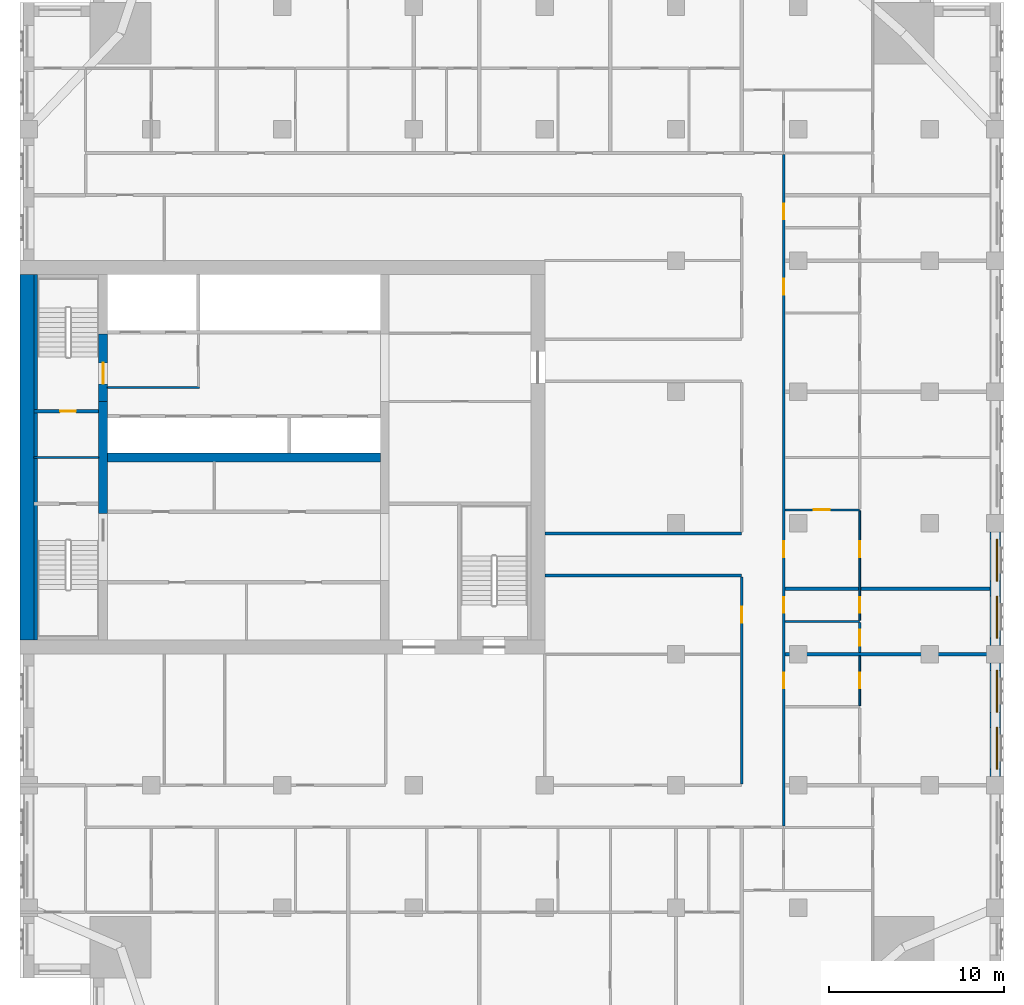
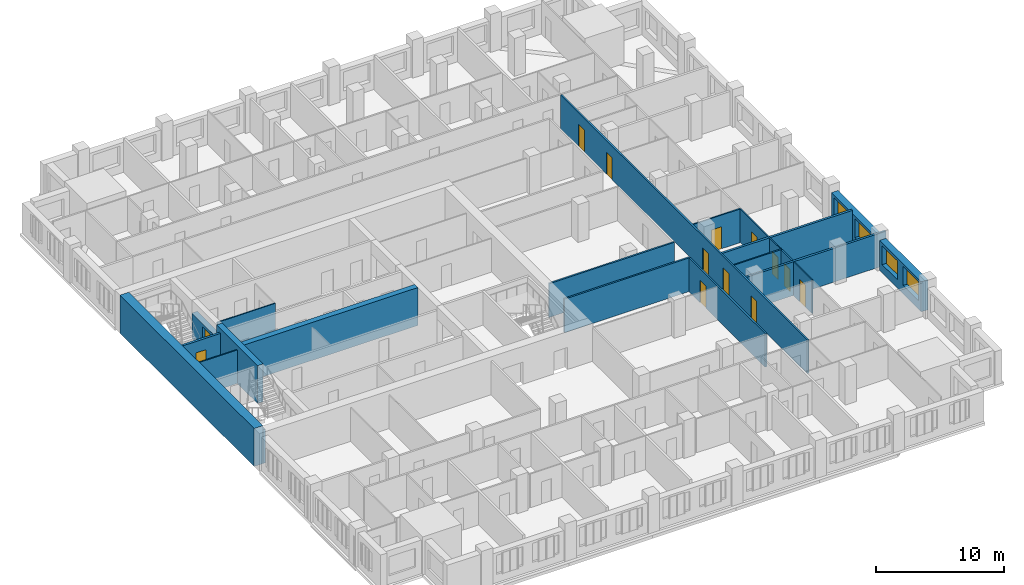
# One storey, part 7 of 14: 21 walls, 13 doors, 4 windows, 17 openings.
"""IFC4 building model written with IfcOpenShell, lengths in metres."""

from ifc_helpers import new_model, si_unit, direction, frame, frame_2d, origin, place, context, subcontext, project, spatial, rectangle, extrude, material, layer, layer_set, type_object, element, fill, save


model = new_model("IFC4")

# Units and contexts
model_context = context("Model", 3, precision=1e-05, world=origin(), true_north=direction((0.0, 1.0)))
body_context = subcontext(model_context, "Body", "Model", "MODEL_VIEW")
ifc_project = project(units=[si_unit("LENGTHUNIT", "METRE"), si_unit("AREAUNIT", "SQUARE_METRE"), si_unit("VOLUMEUNIT", "CUBIC_METRE"), si_unit("PLANEANGLEUNIT", "RADIAN"), si_unit("MASSUNIT", "GRAM", prefix="KILO")], contexts=[model_context])

# Site, building, storey
site_placement = place(None, origin())
site = spatial("IfcSite", under=ifc_project, at=site_placement, CompositionType="ELEMENT")
building_placement = place(site_placement, origin())
building = spatial("IfcBuilding", under=site, at=building_placement, Name="Tamorin Gate", CompositionType="ELEMENT")
storey_placement = place(building_placement, frame((0.0, 0.0, 162.60009765625)))
storey = spatial("IfcBuildingStorey", under=building, at=storey_placement, Name="L40", CompositionType="ELEMENT", Elevation=162.60009765625)

# Wall, openings, windows
ifc_material_1 = material(Name="Precast concrete C40/50", Category="concrete")
ifc_layer_1 = layer(ifc_material_1, 0.60009765625)
ifc_layer_set_1 = layer_set([ifc_layer_1], Name="Precast concrete C40/50")
wall_type_1 = type_object("IfcWallType", Name="Board-marked concrete facade panel 600", PredefinedType="SOLIDWALL", material=ifc_layer_set_1)
wall_1_placement = place(storey_placement, frame((85.75, 53.0, 0.0), z_axis=(0.0, 0.0, 1.0), x_axis=(0.0, 1.0, 0.0)))
wall_1 = element("IfcWall", 1, at=wall_1_placement, inside=storey, type_object=wall_type_1, Name="Facade panel", PredefinedType="SOLIDWALL", context=body_context, shape_type="SweptSolid", body=[
    extrude(rectangle(XDim=6.5, YDim=0.60009765625, at=frame_2d((3.25, 0.0))), origin(), (0.0, 0.0, 1.0), 2.849853515625),
])
opening_1_placement = place(wall_1_placement, frame((0.425048828125, 0.0, 0.800048828125)))
opening_1 = element("IfcOpeningElement", 2, at=opening_1_placement, cuts=wall_1, Name="Opening WN1", PredefinedType="OPENING", context=body_context, shape_type="SweptSolid", body=[
    extrude(rectangle(XDim=2.39990234375, YDim=1.800048828125, at=frame_2d((1.199951171875, 0.89990234375))), frame((0.0, 0.31005859375, 0.0), z_axis=(0.0, -1.0, 0.0), x_axis=(1.0, 0.0, 0.0)), (0.0, 0.0, 1.0), 0.6201171875),
])
opening_2_placement = place(wall_1_placement, frame((3.675048828125, 0.0, 0.800048828125)))
opening_2 = element("IfcOpeningElement", 3, at=opening_2_placement, cuts=wall_1, Name="Opening WN1", PredefinedType="OPENING", context=body_context, shape_type="SweptSolid", body=[
    extrude(rectangle(XDim=2.39990234375, YDim=1.800048828125, at=frame_2d((1.199951171875, 0.89990234375))), frame((0.0, 0.31005859375, 0.0), z_axis=(0.0, -1.0, 0.0), x_axis=(1.0, 0.0, 0.0)), (0.0, 0.0, 1.0), 0.6201171875),
])
ifc_material_2 = material(Name="Clear glass in aluminium frame", Category="aluminium")
window_type = type_object("IfcWindowType", Name="Deep-set window 2400x1800", PartitioningType="SINGLE_PANEL", PredefinedType="WINDOW", material=ifc_material_2)
window_1_placement = place(opening_1_placement, origin())
window_1 = element("IfcWindow", 4, at=window_1_placement, inside=storey, type_object=window_type, Name="Deep-set window", OverallHeight=1.800048828125, OverallWidth=2.39990234375, PartitioningType="SINGLE_PANEL", PredefinedType="WINDOW", context=body_context, shape_type="SweptSolid", body=[
    extrude(rectangle(XDim=2.39990234375, YDim=1.800048828125, at=frame_2d((1.199951171875, 0.89990234375))), frame((0.0, -0.070068359375, 0.0), z_axis=(0.0, -1.0, 0.0), x_axis=(1.0, 0.0, 0.0)), (0.0, 0.0, 1.0), 0.06005859375),
])
fill(opening_1, window_1)
window_2_placement = place(opening_2_placement, origin())
window_2 = element("IfcWindow", 5, at=window_2_placement, inside=storey, type_object=window_type, Name="Deep-set window", OverallHeight=1.800048828125, OverallWidth=2.39990234375, PartitioningType="SINGLE_PANEL", PredefinedType="WINDOW", context=body_context, shape_type="SweptSolid", body=[
    extrude(rectangle(XDim=2.39990234375, YDim=1.800048828125, at=frame_2d((1.199951171875, 0.89990234375))), frame((0.0, -0.070068359375, 0.0), z_axis=(0.0, -1.0, 0.0), x_axis=(1.0, 0.0, 0.0)), (0.0, 0.0, 1.0), 0.06005859375),
])
fill(opening_2, window_2)

wall_2_placement = place(storey_placement, frame((85.75, 60.5, 0.0), z_axis=(0.0, 0.0, 1.0), x_axis=(0.0, 1.0, 0.0)))
wall_2 = element("IfcWall", 6, at=wall_2_placement, inside=storey, type_object=wall_type_1, Name="Facade panel", PredefinedType="SOLIDWALL", context=body_context, shape_type="SweptSolid", body=[
    extrude(rectangle(XDim=6.5, YDim=0.60009765625, at=frame_2d((3.25, 0.0))), origin(), (0.0, 0.0, 1.0), 2.849853515625),
])
opening_3_placement = place(wall_2_placement, frame((0.425048828125, 0.0, 0.800048828125)))
opening_3 = element("IfcOpeningElement", 7, at=opening_3_placement, cuts=wall_2, Name="Opening WN1", PredefinedType="OPENING", context=body_context, shape_type="SweptSolid", body=[
    extrude(rectangle(XDim=2.39990234375, YDim=1.800048828125, at=frame_2d((1.199951171875, 0.89990234375))), frame((0.0, 0.31005859375, 0.0), z_axis=(0.0, -1.0, 0.0), x_axis=(1.0, 0.0, 0.0)), (0.0, 0.0, 1.0), 0.6201171875),
])
opening_4_placement = place(wall_2_placement, frame((3.675048828125, 0.0, 0.800048828125)))
opening_4 = element("IfcOpeningElement", 8, at=opening_4_placement, cuts=wall_2, Name="Opening WN1", PredefinedType="OPENING", context=body_context, shape_type="SweptSolid", body=[
    extrude(rectangle(XDim=2.39990234375, YDim=1.800048828125, at=frame_2d((1.199951171875, 0.89990234375))), frame((0.0, 0.31005859375, 0.0), z_axis=(0.0, -1.0, 0.0), x_axis=(1.0, 0.0, 0.0)), (0.0, 0.0, 1.0), 0.6201171875),
])
window_3_placement = place(opening_3_placement, origin())
window_3 = element("IfcWindow", 9, at=window_3_placement, inside=storey, type_object=window_type, Name="Deep-set window", OverallHeight=1.800048828125, OverallWidth=2.39990234375, PartitioningType="SINGLE_PANEL", PredefinedType="WINDOW", context=body_context, shape_type="SweptSolid", body=[
    extrude(rectangle(XDim=2.39990234375, YDim=1.800048828125, at=frame_2d((1.199951171875, 0.89990234375))), frame((0.0, -0.070068359375, 0.0), z_axis=(0.0, -1.0, 0.0), x_axis=(1.0, 0.0, 0.0)), (0.0, 0.0, 1.0), 0.06005859375),
])
fill(opening_3, window_3)
window_4_placement = place(opening_4_placement, origin())
window_4 = element("IfcWindow", 10, at=window_4_placement, inside=storey, type_object=window_type, Name="Deep-set window", OverallHeight=1.800048828125, OverallWidth=2.39990234375, PartitioningType="SINGLE_PANEL", PredefinedType="WINDOW", context=body_context, shape_type="SweptSolid", body=[
    extrude(rectangle(XDim=2.39990234375, YDim=1.800048828125, at=frame_2d((1.199951171875, 0.89990234375))), frame((0.0, -0.070068359375, 0.0), z_axis=(0.0, -1.0, 0.0), x_axis=(1.0, 0.0, 0.0)), (0.0, 0.0, 1.0), 0.06005859375),
])
fill(opening_4, window_4)

# Wall, opening, door
ifc_material_3 = material(Name="Gypsum board partition")
ifc_layer_2 = layer(ifc_material_3, 0.14990234375)
ifc_layer_set_2 = layer_set([ifc_layer_2], Name="Corridor wall 150")
wall_type_2 = type_object("IfcWallType", Name="Corridor wall 150", PredefinedType="PARTITIONING", material=ifc_layer_set_2)
wall_3_placement = place(storey_placement, frame((71.25, 52.574951171875, 0.0), z_axis=(0.0, 0.0, 1.0), x_axis=(0.0, 1.0, 0.0)))
wall_3 = element("IfcWall", 11, at=wall_3_placement, inside=storey, type_object=wall_type_2, Name="Corridor wall 150", PredefinedType="PARTITIONING", context=body_context, shape_type="SweptSolid", body=[
    extrude(rectangle(XDim=11.85009765625, YDim=0.14990234375, at=frame_2d((5.925048828125, 0.0))), origin(), (0.0, 0.0, 1.0), 3.199951171875),
])
opening_5_placement = place(wall_3_placement, frame((9.22509765625, 0.0, 0.0)))
opening_5 = element("IfcOpeningElement", 12, at=opening_5_placement, cuts=wall_3, Name="Opening DS2072", PredefinedType="OPENING", context=body_context, shape_type="SweptSolid", body=[
    extrude(rectangle(XDim=0.89990234375, YDim=2.10009765625, at=frame_2d((0.449951171875, 1.050048828125))), frame((0.0, 0.0849609375, 0.0), z_axis=(0.0, -1.0, 0.0), x_axis=(1.0, 0.0, 0.0)), (0.0, 0.0, 1.0), 0.169921875),
])
ifc_material_4 = material(Name="Timber door leaf", Category="wood")
door_type_1 = type_object("IfcDoorType", Name="Door 900 x 2100 FD30S", OperationType="NOTDEFINED", PredefinedType="DOOR", material=ifc_material_4)
door_1_placement = place(opening_5_placement, origin())
door_1 = element("IfcDoor", 13, at=door_1_placement, inside=storey, type_object=door_type_1, Name="Door DS2072", OperationType="SINGLE_SWING_LEFT", OverallHeight=2.10009765625, OverallWidth=0.89990234375, PredefinedType="DOOR", context=body_context, shape_type="SweptSolid", body=[
    extrude(rectangle(XDim=0.89990234375, YDim=2.10009765625, at=frame_2d((0.449951171875, 1.050048828125))), frame((0.0, 0.02490234375, 0.0), z_axis=(0.0, -1.0, 0.0), x_axis=(1.0, 0.0, 0.0)), (0.0, 0.0, 1.0), 0.050048828125),
])
fill(opening_5, door_1)

# Wall, openings, doors
wall_4_placement = place(storey_placement, frame((73.64990234375, 50.175048828125, 0.0), z_axis=(0.0, 0.0, 1.0), x_axis=(0.0, 1.0, 0.0)))
wall_4 = element("IfcWall", 14, at=wall_4_placement, inside=storey, type_object=wall_type_2, Name="Corridor wall 150", PredefinedType="PARTITIONING", context=body_context, shape_type="SweptSolid", body=[
    extrude(rectangle(XDim=38.39990234375, YDim=0.14990234375, at=frame_2d((19.199951171875, 0.0))), origin(), (0.0, 0.0, 1.0), 3.199951171875),
])
opening_6_placement = place(wall_4_placement, frame((7.875, 0.0, 0.0)))
opening_6 = element("IfcOpeningElement", 15, at=opening_6_placement, cuts=wall_4, Name="Opening DS2038", PredefinedType="OPENING", context=body_context, shape_type="SweptSolid", body=[
    extrude(rectangle(XDim=0.89990234375, YDim=2.10009765625, at=frame_2d((0.449951171875, 1.050048828125))), frame((0.0, 0.0849609375, 0.0), z_axis=(0.0, -1.0, 0.0), x_axis=(1.0, 0.0, 0.0)), (0.0, 0.0, 1.0), 0.169921875),
])
opening_7_placement = place(wall_4_placement, frame((12.1875, 0.0, 0.0)))
opening_7 = element("IfcOpeningElement", 16, at=opening_7_placement, cuts=wall_4, Name="Opening DS2041", PredefinedType="OPENING", context=body_context, shape_type="SweptSolid", body=[
    extrude(rectangle(XDim=0.89990234375, YDim=2.10009765625, at=frame_2d((0.449951171875, 1.050048828125))), frame((0.0, 0.0849609375, 0.0), z_axis=(0.0, -1.0, 0.0), x_axis=(1.0, 0.0, 0.0)), (0.0, 0.0, 1.0), 0.169921875),
])
opening_8_placement = place(wall_4_placement, frame((15.375, 0.0, 0.0)))
opening_8 = element("IfcOpeningElement", 17, at=opening_8_placement, cuts=wall_4, Name="Opening DS2043", PredefinedType="OPENING", context=body_context, shape_type="SweptSolid", body=[
    extrude(rectangle(XDim=0.89990234375, YDim=2.10009765625, at=frame_2d((0.449951171875, 1.050048828125))), frame((0.0, 0.0849609375, 0.0), z_axis=(0.0, -1.0, 0.0), x_axis=(1.0, 0.0, 0.0)), (0.0, 0.0, 1.0), 0.169921875),
])
opening_9_placement = place(wall_4_placement, frame((30.375, 0.0, 0.0)))
opening_9 = element("IfcOpeningElement", 18, at=opening_9_placement, cuts=wall_4, Name="Opening DS2049", PredefinedType="OPENING", context=body_context, shape_type="SweptSolid", body=[
    extrude(rectangle(XDim=0.89990234375, YDim=2.10009765625, at=frame_2d((0.449951171875, 1.050048828125))), frame((0.0, 0.0849609375, 0.0), z_axis=(0.0, -1.0, 0.0), x_axis=(1.0, 0.0, 0.0)), (0.0, 0.0, 1.0), 0.169921875),
])
opening_10_placement = place(wall_4_placement, frame((34.6875, 0.0, 0.0)))
opening_10 = element("IfcOpeningElement", 19, at=opening_10_placement, cuts=wall_4, Name="Opening DS2052", PredefinedType="OPENING", context=body_context, shape_type="SweptSolid", body=[
    extrude(rectangle(XDim=0.89990234375, YDim=2.10009765625, at=frame_2d((0.449951171875, 1.050048828125))), frame((0.0, 0.0849609375, 0.0), z_axis=(0.0, -1.0, 0.0), x_axis=(1.0, 0.0, 0.0)), (0.0, 0.0, 1.0), 0.169921875),
])
door_2_placement = place(opening_6_placement, origin())
door_2 = element("IfcDoor", 20, at=door_2_placement, inside=storey, type_object=door_type_1, Name="Door DS2038", OperationType="SINGLE_SWING_RIGHT", OverallHeight=2.10009765625, OverallWidth=0.89990234375, PredefinedType="DOOR", context=body_context, shape_type="SweptSolid", body=[
    extrude(rectangle(XDim=0.89990234375, YDim=2.10009765625, at=frame_2d((0.449951171875, 1.050048828125))), frame((0.0, 0.02490234375, 0.0), z_axis=(0.0, -1.0, 0.0), x_axis=(1.0, 0.0, 0.0)), (0.0, 0.0, 1.0), 0.050048828125),
])
fill(opening_6, door_2)
door_3_placement = place(opening_7_placement, origin())
door_3 = element("IfcDoor", 21, at=door_3_placement, inside=storey, type_object=door_type_1, Name="Door DS2041", OperationType="SINGLE_SWING_RIGHT", OverallHeight=2.10009765625, OverallWidth=0.89990234375, PredefinedType="DOOR", context=body_context, shape_type="SweptSolid", body=[
    extrude(rectangle(XDim=0.89990234375, YDim=2.10009765625, at=frame_2d((0.449951171875, 1.050048828125))), frame((0.0, 0.02490234375, 0.0), z_axis=(0.0, -1.0, 0.0), x_axis=(1.0, 0.0, 0.0)), (0.0, 0.0, 1.0), 0.050048828125),
])
fill(opening_7, door_3)
door_4_placement = place(opening_8_placement, origin())
door_4 = element("IfcDoor", 22, at=door_4_placement, inside=storey, type_object=door_type_1, Name="Door DS2043", OperationType="SINGLE_SWING_RIGHT", OverallHeight=2.10009765625, OverallWidth=0.89990234375, PredefinedType="DOOR", context=body_context, shape_type="SweptSolid", body=[
    extrude(rectangle(XDim=0.89990234375, YDim=2.10009765625, at=frame_2d((0.449951171875, 1.050048828125))), frame((0.0, 0.02490234375, 0.0), z_axis=(0.0, -1.0, 0.0), x_axis=(1.0, 0.0, 0.0)), (0.0, 0.0, 1.0), 0.050048828125),
])
fill(opening_8, door_4)
door_5_placement = place(opening_9_placement, origin())
door_5 = element("IfcDoor", 23, at=door_5_placement, inside=storey, type_object=door_type_1, Name="Door DS2049", OperationType="SINGLE_SWING_RIGHT", OverallHeight=2.10009765625, OverallWidth=0.89990234375, PredefinedType="DOOR", context=body_context, shape_type="SweptSolid", body=[
    extrude(rectangle(XDim=0.89990234375, YDim=2.10009765625, at=frame_2d((0.449951171875, 1.050048828125))), frame((0.0, 0.02490234375, 0.0), z_axis=(0.0, -1.0, 0.0), x_axis=(1.0, 0.0, 0.0)), (0.0, 0.0, 1.0), 0.050048828125),
])
fill(opening_9, door_5)
door_6_placement = place(opening_10_placement, origin())
door_6 = element("IfcDoor", 24, at=door_6_placement, inside=storey, type_object=door_type_1, Name="Door DS2052", OperationType="SINGLE_SWING_RIGHT", OverallHeight=2.10009765625, OverallWidth=0.89990234375, PredefinedType="DOOR", context=body_context, shape_type="SweptSolid", body=[
    extrude(rectangle(XDim=0.89990234375, YDim=2.10009765625, at=frame_2d((0.449951171875, 1.050048828125))), frame((0.0, 0.02490234375, 0.0), z_axis=(0.0, -1.0, 0.0), x_axis=(1.0, 0.0, 0.0)), (0.0, 0.0, 1.0), 0.050048828125),
])
fill(opening_10, door_6)

# Walls
ifc_layer_3 = layer(ifc_material_3, 0.199951171875)
ifc_layer_set_3 = layer_set([ifc_layer_3], Name="Demising wall 200")
wall_type_3 = type_object("IfcWallType", Name="Demising wall 200", PredefinedType="PARTITIONING", material=ifc_layer_set_3)
wall_5_placement = place(storey_placement, frame((73.72509765625, 60.0, 0.0), z_axis=(0.0, 0.0, 1.0), x_axis=(1.0, 0.0, 0.0)))
element("IfcWall", 25, at=wall_5_placement, inside=storey, type_object=wall_type_3, Name="Demising wall 200", PredefinedType="PARTITIONING", context=body_context, shape_type="SweptSolid", body=[
    extrude(rectangle(XDim=12.52490234375, YDim=0.199951171875, at=frame_2d((6.262451171875, 0.0))), origin(), (0.0, 0.0, 1.0), 3.199951171875),
])
wall_6_placement = place(storey_placement, frame((73.72509765625, 63.75, 0.0), z_axis=(0.0, 0.0, 1.0), x_axis=(1.0, 0.0, 0.0)))
element("IfcWall", 26, at=wall_6_placement, inside=storey, type_object=wall_type_3, Name="Demising wall 200", PredefinedType="PARTITIONING", context=body_context, shape_type="SweptSolid", body=[
    extrude(rectangle(XDim=11.71484375, YDim=0.199951171875, at=frame_2d((5.857421875, 0.0))), origin(), (0.0, 0.0, 1.0), 3.199951171875),
])
ifc_material_5 = material(Name="Fire-rated gypsum board partition")
ifc_layer_4 = layer(ifc_material_5, 0.10009765625)
ifc_layer_set_4 = layer_set([ifc_layer_4], Name="Lobby wall 100 EI 60")
wall_type_4 = type_object("IfcWallType", Name="Lobby wall 100 EI 60", PredefinedType="PARTITIONING", material=ifc_layer_set_4)
wall_7_placement = place(storey_placement, frame((35.0, 75.25, 0.0), z_axis=(0.0, 0.0, 1.0), x_axis=(1.0, 0.0, 0.0)))
element("IfcWall", 27, at=wall_7_placement, inside=storey, type_object=wall_type_4, Name="Firefighting lobby wall", PredefinedType="PARTITIONING", context=body_context, shape_type="SweptSolid", body=[
    extrude(rectangle(XDim=5.25, YDim=0.10009765625, at=frame_2d((2.625, 0.0))), origin(), (0.0, 0.0, 1.0), 3.18994140625),
])
ifc_layer_5 = layer(ifc_material_3, 0.14990234375)
ifc_layer_set_5 = layer_set([ifc_layer_5], Name="Lobby wall 150")
wall_type_5 = type_object("IfcWallType", Name="Lobby wall 150", PredefinedType="PARTITIONING", material=ifc_layer_set_5)
for number, where, z_axis, x_axis, name in (
    (28, (60.0, 64.5, 0.0), (0.0, 0.0, 1.0), (1.0, 0.0, 0.0), "Lobby wall 150"),
    (29, (60.0, 66.89990234375, 0.0), (0.0, 0.0, 1.0), (1.0, 0.0, 0.0), "Lobby wall 150"),
):
    element("IfcWall", number, at=place(storey_placement, frame(where, z_axis=z_axis, x_axis=x_axis)), inside=storey, type_object=wall_type_5, Name=name, PredefinedType="PARTITIONING", context=body_context, shape_type="SweptSolid", body=[
        extrude(rectangle(XDim=11.25, YDim=0.14990234375, at=frame_2d((5.625, 0.0))), origin(), (0.0, 0.0, 1.0), 3.199951171875),
    ])
ifc_material_6 = material(Name="Concrete C60/75", Category="concrete")
ifc_layer_6 = layer(ifc_material_6, 0.5)
ifc_layer_set_6 = layer_set([ifc_layer_6], Name="RC core internal wall 500 C60/75")
wall_type_6 = type_object("IfcWallType", Name="RC core internal wall 500 C60/75", PredefinedType="SHEAR", material=ifc_layer_set_6)
wall_8_placement = place(storey_placement, frame((35.0, 71.25, 0.0), z_axis=(0.0, 0.0, 1.0), x_axis=(1.0, 0.0, 0.0)))
element("IfcWall", 30, at=wall_8_placement, inside=storey, type_object=wall_type_6, Name="Core spine wall L40", PredefinedType="SHEAR", context=body_context, shape_type="SweptSolid", body=[
    extrude(rectangle(XDim=15.60009765625, YDim=0.5, at=frame_2d((7.800048828125, 0.0))), origin(), (0.0, 0.0, 1.0), 3.599853515625),
])
wall_9_placement = place(storey_placement, frame((34.75, 68.050048828125, 0.0), z_axis=(0.0, 0.0, 1.0), x_axis=(0.0, 1.0, 0.0)))
element("IfcWall", 31, at=wall_9_placement, inside=storey, type_object=wall_type_6, Name="Core cross wall L40", PredefinedType="SHEAR", context=body_context, shape_type="SweptSolid", body=[
    extrude(rectangle(XDim=6.39990234375, YDim=0.5, at=frame_2d((3.199951171875, 0.0))), origin(), (0.0, 0.0, 1.0), 3.599853515625),
])
ifc_layer_7 = layer(ifc_material_6, 0.800048828125)
ifc_layer_set_7 = layer_set([ifc_layer_7], Name="RC core wall 800 C60/75")
wall_type_7 = type_object("IfcWallType", Name="RC core wall 800 C60/75", PredefinedType="SHEAR", material=ifc_layer_set_7)
wall_10_placement = place(storey_placement, frame((30.39990234375, 60.800048828125, 0.0), z_axis=(0.0, 0.0, 1.0), x_axis=(0.0, 1.0, 0.0)))
element("IfcWall", 32, at=wall_10_placement, inside=storey, type_object=wall_type_7, Name="Core wall L40", PredefinedType="SHEAR", context=body_context, shape_type="SweptSolid", body=[
    extrude(rectangle(XDim=20.89990234375, YDim=0.800048828125, at=frame_2d((10.449951171875, 0.0))), origin(), (0.0, 0.0, 1.0), 3.599853515625),
])
ifc_layer_8 = layer(ifc_material_5, 0.10009765625)
ifc_layer_set_8 = layer_set([ifc_layer_8], Name="Riser partition 100 EI 120")
wall_type_8 = type_object("IfcWallType", Name="Riser partition 100 EI 120", PredefinedType="PARTITIONING", material=ifc_layer_set_8)
wall_11_placement = place(storey_placement, frame((30.800048828125, 71.25, 0.0), z_axis=(0.0, 0.0, 1.0), x_axis=(1.0, 0.0, 0.0)))
element("IfcWall", 33, at=wall_11_placement, inside=storey, type_object=wall_type_8, Name="Riser partition", PredefinedType="PARTITIONING", context=body_context, shape_type="SweptSolid", body=[
    extrude(rectangle(XDim=3.699951171875, YDim=0.10009765625, at=frame_2d((1.85009765625, 0.0))), origin(), (0.0, 0.0, 1.0), 3.18994140625),
])

# Wall, opening, door
ifc_layer_9 = layer(ifc_material_3, 0.10009765625)
ifc_layer_set_9 = layer_set([ifc_layer_9], Name="Room partition 100")
wall_type_9 = type_object("IfcWallType", Name="Room partition 100", PredefinedType="PARTITIONING", material=ifc_layer_set_9)
wall_12_placement = place(storey_placement, frame((78.0, 57.0625, 0.0), z_axis=(0.0, 0.0, 1.0), x_axis=(0.0, 1.0, 0.0)))
wall_12 = element("IfcWall", 34, at=wall_12_placement, inside=storey, type_object=wall_type_9, Name="Room partition 100", PredefinedType="PARTITIONING", context=body_context, shape_type="SweptSolid", body=[
    extrude(rectangle(XDim=2.83740234375, YDim=0.10009765625, at=frame_2d((1.418701171875, 0.0))), origin(), (0.0, 0.0, 1.0), 3.199951171875),
])
opening_11_placement = place(wall_12_placement, frame((0.987548828125, 0.0, 0.0)))
opening_11 = element("IfcOpeningElement", 35, at=opening_11_placement, cuts=wall_12, Name="Opening DS2039", PredefinedType="OPENING", context=body_context, shape_type="SweptSolid", body=[
    extrude(rectangle(XDim=0.89990234375, YDim=2.10009765625, at=frame_2d((0.449951171875, 1.050048828125))), frame((0.0, 0.06005859375, 0.0), z_axis=(0.0, -1.0, 0.0), x_axis=(1.0, 0.0, 0.0)), (0.0, 0.0, 1.0), 0.1201171875),
])
door_type_2 = type_object("IfcDoorType", Name="Door 900 x 2100", OperationType="NOTDEFINED", PredefinedType="DOOR", material=ifc_material_4)
door_7_placement = place(opening_11_placement, origin())
door_7 = element("IfcDoor", 36, at=door_7_placement, inside=storey, type_object=door_type_2, Name="Door DS2039", OperationType="SINGLE_SWING_LEFT", OverallHeight=2.10009765625, OverallWidth=0.89990234375, PredefinedType="DOOR", context=body_context, shape_type="SweptSolid", body=[
    extrude(rectangle(XDim=0.89990234375, YDim=2.10009765625, at=frame_2d((0.449951171875, 1.050048828125))), frame((0.0, 0.02490234375, 0.0), z_axis=(0.0, -1.0, 0.0), x_axis=(1.0, 0.0, 0.0)), (0.0, 0.0, 1.0), 0.050048828125),
])
fill(opening_11, door_7)

# Wall, openings, doors
wall_13_placement = place(storey_placement, frame((78.0, 61.9375, 0.0), z_axis=(0.0, 0.0, 1.0), x_axis=(0.0, 1.0, 0.0)))
wall_13 = element("IfcWall", 37, at=wall_13_placement, inside=storey, type_object=wall_type_9, Name="Room partition 100", PredefinedType="PARTITIONING", context=body_context, shape_type="SweptSolid", body=[
    extrude(rectangle(XDim=6.25, YDim=0.10009765625, at=frame_2d((3.125, 0.0))), origin(), (0.0, 0.0, 1.0), 3.199951171875),
])
opening_12_placement = place(wall_13_placement, frame((0.425048828125, 0.0, 0.0)))
opening_12 = element("IfcOpeningElement", 38, at=opening_12_placement, cuts=wall_13, Name="Opening DS2042", PredefinedType="OPENING", context=body_context, shape_type="SweptSolid", body=[
    extrude(rectangle(XDim=0.89990234375, YDim=2.10009765625, at=frame_2d((0.449951171875, 1.050048828125))), frame((0.0, 0.06005859375, 0.0), z_axis=(0.0, -1.0, 0.0), x_axis=(1.0, 0.0, 0.0)), (0.0, 0.0, 1.0), 0.1201171875),
])
opening_13_placement = place(wall_13_placement, frame((3.612548828125, 0.0, 0.0)))
opening_13 = element("IfcOpeningElement", 39, at=opening_13_placement, cuts=wall_13, Name="Opening DS2044", PredefinedType="OPENING", context=body_context, shape_type="SweptSolid", body=[
    extrude(rectangle(XDim=0.89990234375, YDim=2.10009765625, at=frame_2d((0.449951171875, 1.050048828125))), frame((0.0, 0.06005859375, 0.0), z_axis=(0.0, -1.0, 0.0), x_axis=(1.0, 0.0, 0.0)), (0.0, 0.0, 1.0), 0.1201171875),
])
door_8_placement = place(opening_12_placement, origin())
door_8 = element("IfcDoor", 40, at=door_8_placement, inside=storey, type_object=door_type_2, Name="Door DS2042", OperationType="SINGLE_SWING_LEFT", OverallHeight=2.10009765625, OverallWidth=0.89990234375, PredefinedType="DOOR", context=body_context, shape_type="SweptSolid", body=[
    extrude(rectangle(XDim=0.89990234375, YDim=2.10009765625, at=frame_2d((0.449951171875, 1.050048828125))), frame((0.0, 0.02490234375, 0.0), z_axis=(0.0, -1.0, 0.0), x_axis=(1.0, 0.0, 0.0)), (0.0, 0.0, 1.0), 0.050048828125),
])
fill(opening_12, door_8)
door_9_placement = place(opening_13_placement, origin())
door_9 = element("IfcDoor", 41, at=door_9_placement, inside=storey, type_object=door_type_2, Name="Door DS2044", OperationType="SINGLE_SWING_LEFT", OverallHeight=2.10009765625, OverallWidth=0.89990234375, PredefinedType="DOOR", context=body_context, shape_type="SweptSolid", body=[
    extrude(rectangle(XDim=0.89990234375, YDim=2.10009765625, at=frame_2d((0.449951171875, 1.050048828125))), frame((0.0, 0.02490234375, 0.0), z_axis=(0.0, -1.0, 0.0), x_axis=(1.0, 0.0, 0.0)), (0.0, 0.0, 1.0), 0.050048828125),
])
fill(opening_13, door_9)

# Wall, opening, door
ifc_material_7 = material(Name="Concrete C40/50", Category="concrete")
ifc_layer_10 = layer(ifc_material_7, 0.199951171875)
ifc_layer_set_10 = layer_set([ifc_layer_10], Name="Stair enclosure wall 200 EI 120 C40/50")
wall_type_10 = type_object("IfcWallType", Name="Stair enclosure wall 200 EI 120 C40/50", PredefinedType="SOLIDWALL", material=ifc_layer_set_10)
wall_14_placement = place(storey_placement, frame((30.800048828125, 73.89990234375, 0.0), z_axis=(0.0, 0.0, 1.0), x_axis=(1.0, 0.0, 0.0)))
wall_14 = element("IfcWall", 42, at=wall_14_placement, inside=storey, type_object=wall_type_10, Name="Stair enclosure wall", PredefinedType="SOLIDWALL", context=body_context, shape_type="SweptSolid", body=[
    extrude(rectangle(XDim=3.699951171875, YDim=0.199951171875, at=frame_2d((1.85009765625, 0.0))), origin(), (0.0, 0.0, 1.0), 3.18994140625),
])
opening_14_placement = place(wall_14_placement, frame((1.5, 0.0, 0.0)))
opening_14 = element("IfcOpeningElement", 43, at=opening_14_placement, cuts=wall_14, Name="Opening DR1", PredefinedType="OPENING", context=body_context, shape_type="SweptSolid", body=[
    extrude(rectangle(XDim=0.89990234375, YDim=2.10009765625, at=frame_2d((0.449951171875, 1.050048828125))), frame((0.0, 0.10986328125, 0.0), z_axis=(0.0, -1.0, 0.0), x_axis=(1.0, 0.0, 0.0)), (0.0, 0.0, 1.0), 0.219970703125),
])
ifc_material_8 = material(Name="Steel fire door", Category="steel")
door_type_3 = type_object("IfcDoorType", Name="Riser access door 900 x 2100 EI 120", OperationType="SINGLE_SWING_LEFT", PredefinedType="DOOR", material=ifc_material_8)
door_10_placement = place(opening_14_placement, origin())
door_10 = element("IfcDoor", 44, at=door_10_placement, inside=storey, type_object=door_type_3, Name="Communications riser door", OperationType="SINGLE_SWING_RIGHT", OverallHeight=2.10009765625, OverallWidth=0.89990234375, PredefinedType="DOOR", context=body_context, shape_type="SweptSolid", body=[
    extrude(rectangle(XDim=0.89990234375, YDim=2.10009765625, at=frame_2d((0.449951171875, 1.050048828125))), frame((0.0, 0.02490234375, 0.0), z_axis=(0.0, -1.0, 0.0), x_axis=(1.0, 0.0, 0.0)), (0.0, 0.0, 1.0), 0.050048828125),
])
fill(opening_14, door_10)

# Wall
ifc_layer_11 = layer(ifc_material_6, 0.199951171875)
ifc_layer_set_11 = layer_set([ifc_layer_11], Name="Stair lining wall 200 EI 120 C60/75")
wall_type_11 = type_object("IfcWallType", Name="Stair lining wall 200 EI 120 C60/75", PredefinedType="SOLIDWALL", material=ifc_layer_set_11)
wall_15_placement = place(storey_placement, frame((30.89990234375, 60.800048828125, 0.0), z_axis=(0.0, 0.0, 1.0), x_axis=(0.0, 1.0, 0.0)))
element("IfcWall", 45, at=wall_15_placement, inside=storey, type_object=wall_type_11, Name="Stair lining wall", PredefinedType="SOLIDWALL", context=body_context, shape_type="SweptSolid", body=[
    extrude(rectangle(XDim=20.89990234375, YDim=0.199951171875, at=frame_2d((10.449951171875, 0.0))), origin(), (0.0, 0.0, 1.0), 3.18994140625),
])

# Wall, opening, door
ifc_material_9 = material(Name="Concrete C32/40", Category="concrete")
ifc_layer_12 = layer(ifc_material_9, 0.5)
ifc_layer_set_12 = layer_set([ifc_layer_12], Name="Stair lobby infill wall 500 EI 120")
wall_type_12 = type_object("IfcWallType", Name="Stair lobby infill wall 500 EI 120", PredefinedType="SOLIDWALL", material=ifc_layer_set_12)
wall_16_placement = place(storey_placement, frame((34.75, 74.449951171875, 0.0), z_axis=(0.0, 0.0, 1.0), x_axis=(0.0, 1.0, 0.0)))
wall_16 = element("IfcWall", 46, at=wall_16_placement, inside=storey, type_object=wall_type_12, Name="Stair lobby infill wall", PredefinedType="SOLIDWALL", context=body_context, shape_type="SweptSolid", body=[
    extrude(rectangle(XDim=3.85009765625, YDim=0.5, at=frame_2d((1.925048828125, 0.0))), origin(), (0.0, 0.0, 1.0), 2.39990234375),
])
opening_15_placement = place(wall_16_placement, frame((1.0, 0.0, 0.0)))
opening_15 = element("IfcOpeningElement", 47, at=opening_15_placement, cuts=wall_16, Name="Opening DS1", PredefinedType="OPENING", context=body_context, shape_type="SweptSolid", body=[
    extrude(rectangle(XDim=1.199951171875, YDim=2.10009765625, at=frame_2d((0.60009765625, 1.050048828125))), frame((0.0, 0.260009765625, 0.0), z_axis=(0.0, -1.0, 0.0), x_axis=(1.0, 0.0, 0.0)), (0.0, 0.0, 1.0), 0.52001953125),
])
door_type_4 = type_object("IfcDoorType", Name="Stair door 1200 x 2100 EI 90", OperationType="SINGLE_SWING_LEFT", PredefinedType="DOOR", material=ifc_material_8)
door_11_placement = place(opening_15_placement, origin())
door_11 = element("IfcDoor", 48, at=door_11_placement, inside=storey, type_object=door_type_4, Name="ST2 door", OperationType="SINGLE_SWING_RIGHT", OverallHeight=2.10009765625, OverallWidth=1.199951171875, PredefinedType="DOOR", context=body_context, shape_type="SweptSolid", body=[
    extrude(rectangle(XDim=1.199951171875, YDim=2.10009765625, at=frame_2d((0.60009765625, 1.050048828125))), frame((0.0, 0.02490234375, 0.0), z_axis=(0.0, -1.0, 0.0), x_axis=(1.0, 0.0, 0.0)), (0.0, 0.0, 1.0), 0.050048828125),
])
fill(opening_15, door_11)

# Wall
ifc_layer_13 = layer(ifc_material_3, 0.125)
ifc_layer_set_13 = layer_set([ifc_layer_13], Name="Wet wall 125")
wall_type_13 = type_object("IfcWallType", Name="Wet wall 125", PredefinedType="PARTITIONING", material=ifc_layer_set_13)
wall_17_placement = place(storey_placement, frame((73.72509765625, 61.875, 0.0), z_axis=(0.0, 0.0, 1.0), x_axis=(1.0, 0.0, 0.0)))
element("IfcWall", 49, at=wall_17_placement, inside=storey, type_object=wall_type_13, Name="Wet wall 125", PredefinedType="PARTITIONING", context=body_context, shape_type="SweptSolid", body=[
    extrude(rectangle(XDim=4.27490234375, YDim=0.125, at=frame_2d((2.137451171875, 0.0))), origin(), (0.0, 0.0, 1.0), 3.199951171875),
])

# Wall, opening, door
wall_18_placement = place(storey_placement, frame((73.72509765625, 68.25, 0.0), z_axis=(0.0, 0.0, 1.0), x_axis=(1.0, 0.0, 0.0)))
wall_18 = element("IfcWall", 50, at=wall_18_placement, inside=storey, type_object=wall_type_13, Name="Wet wall 125", PredefinedType="PARTITIONING", context=body_context, shape_type="SweptSolid", body=[
    extrude(rectangle(XDim=4.27490234375, YDim=0.125, at=frame_2d((2.137451171875, 0.0))), origin(), (0.0, 0.0, 1.0), 3.199951171875),
])
opening_16_placement = place(wall_18_placement, frame((1.64990234375, 0.0, 0.0)))
opening_16 = element("IfcOpeningElement", 51, at=opening_16_placement, cuts=wall_18, Name="Opening DS2045", PredefinedType="OPENING", context=body_context, shape_type="SweptSolid", body=[
    extrude(rectangle(XDim=0.89990234375, YDim=2.10009765625, at=frame_2d((0.449951171875, 1.050048828125))), frame((0.0, 0.072509765625, 0.0), z_axis=(0.0, -1.0, 0.0), x_axis=(1.0, 0.0, 0.0)), (0.0, 0.0, 1.0), 0.14501953125),
])
door_12_placement = place(opening_16_placement, origin())
door_12 = element("IfcDoor", 52, at=door_12_placement, inside=storey, type_object=door_type_2, Name="Door DS2045", OperationType="SINGLE_SWING_RIGHT", OverallHeight=2.10009765625, OverallWidth=0.89990234375, PredefinedType="DOOR", context=body_context, shape_type="SweptSolid", body=[
    extrude(rectangle(XDim=0.89990234375, YDim=2.10009765625, at=frame_2d((0.449951171875, 1.050048828125))), frame((0.0, 0.02490234375, 0.0), z_axis=(0.0, -1.0, 0.0), x_axis=(1.0, 0.0, 0.0)), (0.0, 0.0, 1.0), 0.050048828125),
])
fill(opening_16, door_12)

wall_19_placement = place(storey_placement, frame((78.0, 60.10009765625, 0.0), z_axis=(0.0, 0.0, 1.0), x_axis=(0.0, 1.0, 0.0)))
wall_19 = element("IfcWall", 53, at=wall_19_placement, inside=storey, type_object=wall_type_13, Name="Wet wall 125", PredefinedType="PARTITIONING", context=body_context, shape_type="SweptSolid", body=[
    extrude(rectangle(XDim=1.71240234375, YDim=0.125, at=frame_2d((0.856201171875, 0.0))), origin(), (0.0, 0.0, 1.0), 3.199951171875),
])
opening_17_placement = place(wall_19_placement, frame((0.387451171875, 0.0, 0.0)))
opening_17 = element("IfcOpeningElement", 54, at=opening_17_placement, cuts=wall_19, Name="Opening DS2040", PredefinedType="OPENING", context=body_context, shape_type="SweptSolid", body=[
    extrude(rectangle(XDim=0.89990234375, YDim=2.10009765625, at=frame_2d((0.449951171875, 1.050048828125))), frame((0.0, 0.072509765625, 0.0), z_axis=(0.0, -1.0, 0.0), x_axis=(1.0, 0.0, 0.0)), (0.0, 0.0, 1.0), 0.14501953125),
])
door_13_placement = place(opening_17_placement, origin())
door_13 = element("IfcDoor", 55, at=door_13_placement, inside=storey, type_object=door_type_2, Name="Door DS2040", OperationType="SINGLE_SWING_LEFT", OverallHeight=2.10009765625, OverallWidth=0.89990234375, PredefinedType="DOOR", context=body_context, shape_type="SweptSolid", body=[
    extrude(rectangle(XDim=0.89990234375, YDim=2.10009765625, at=frame_2d((0.449951171875, 1.050048828125))), frame((0.0, 0.02490234375, 0.0), z_axis=(0.0, -1.0, 0.0), x_axis=(1.0, 0.0, 0.0)), (0.0, 0.0, 1.0), 0.050048828125),
])
fill(opening_17, door_13)

save(model, "model.ifc")
